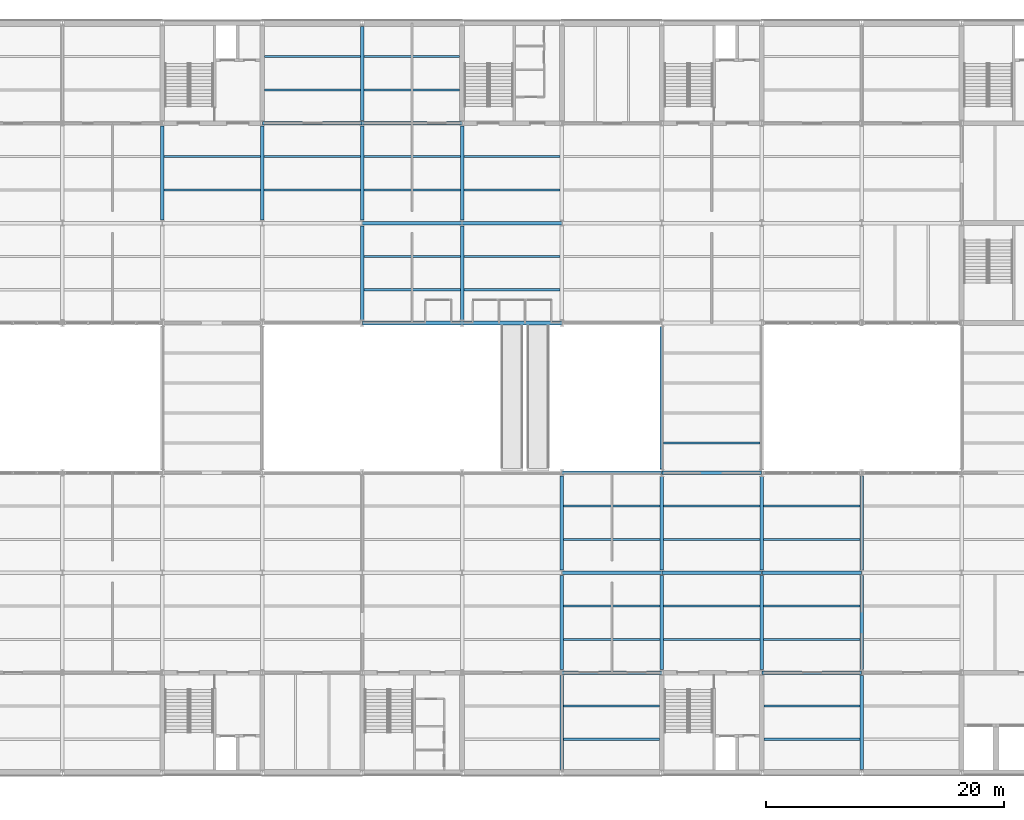
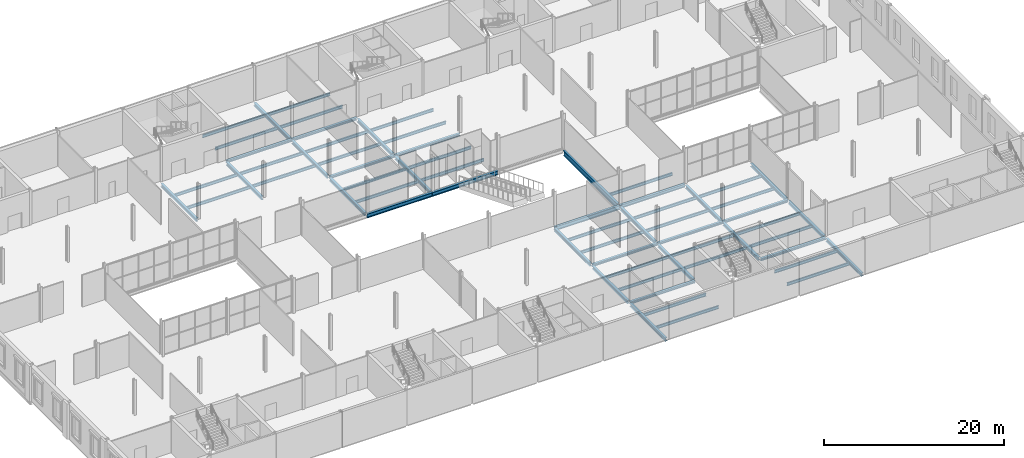
# One storey, part 17 of 52: 64 beams.
"""IFC4 building model written with IfcOpenShell, lengths in metres."""

from ifc_helpers import new_model, si_unit, direction, frame, origin, origin_2d, place, context, subcontext, project, spatial, i_section, extrude, material, material_profile, profile_set, type_object, element, save


model = new_model("IFC4")

# Units and contexts
model_context = context("Model", 3, precision=1e-05, world=origin(), true_north=direction((0.0, 1.0)))
body_context = subcontext(model_context, "Body", "Model", "MODEL_VIEW")
ifc_project = project(units=[si_unit("LENGTHUNIT", "METRE"), si_unit("AREAUNIT", "SQUARE_METRE"), si_unit("VOLUMEUNIT", "CUBIC_METRE"), si_unit("PLANEANGLEUNIT", "RADIAN"), si_unit("MASSUNIT", "GRAM", prefix="KILO")], contexts=[model_context])

# Site, building, storey
site_placement = place(None, origin())
site = spatial("IfcSite", under=ifc_project, at=site_placement, CompositionType="ELEMENT")
building_placement = place(site_placement, origin())
building = spatial("IfcBuilding", under=site, at=building_placement, Name="Galleria Vessillo Department Store", CompositionType="ELEMENT")
storey_placement = place(building_placement, frame((0.0, 0.0, 16.199951171875)))
storey = spatial("IfcBuildingStorey", under=building, at=storey_placement, Name="L03", CompositionType="ELEMENT", Elevation=16.199951171875)

# Beams
ifc_material_1 = material(Name="Steel S355 J2", Category="steel")
ifc_material_profile_1 = material_profile(ifc_material_1, i_section(OverallWidth=0.300048828125, OverallDepth=0.43994140625, WebThickness=0.011474609375, FlangeThickness=0.02099609375, FilletRadius=0.027099609375, at=origin_2d()), Name="HEA 450")
ifc_profile_set_1 = profile_set([ifc_material_profile_1], Name="Steel S355 J2")
beam_type_1 = type_object("IfcBeamType", Name="Bridge girder HEA 450", PredefinedType="BEAM", material=ifc_profile_set_1)
beam_1_placement = place(storey_placement, frame((75.610595703125, 25.199951171875, -0.369873046875), z_axis=(1.0, 0.0, 0.0), x_axis=(0.0, 1.0, 0.0)))
element("IfcBeam", 1, at=beam_1_placement, inside=storey, type_object=beam_type_1, Name="S-BM-L03-BR-x25200-75611", PredefinedType="BEAM", context=body_context, shape_type="SweptSolid", body=[
    extrude(i_section(OverallWidth=0.300048828125, OverallDepth=0.43994140625, WebThickness=0.011474609375, FlangeThickness=0.02099609375, FilletRadius=0.027099609375, at=origin_2d()), origin(), (0.0, 0.0, 1.0), 8.378662109375),
])
ifc_material_2 = material(Name="Steel S355 J2", Category="steel")
ifc_material_profile_2 = material_profile(ifc_material_2, i_section(OverallWidth=0.300048828125, OverallDepth=0.68994140625, WebThickness=0.014404296875, FlangeThickness=0.027099609375, FilletRadius=0.027099609375, at=origin_2d()), Name="HEA 700")
ifc_profile_set_2 = profile_set([ifc_material_profile_2], Name="Steel S355 J2")
beam_type_2 = type_object("IfcBeamType", Name="Bridge girder HEA 700", PredefinedType="BEAM", material=ifc_profile_set_2)
beam_2_placement = place(storey_placement, frame((75.60009765625, 25.51025390625, -0.494873046875), z_axis=(0.0, 1.0, 0.0), x_axis=(-1.0, 0.0, 0.0)))
element("IfcBeam", 2, at=beam_2_placement, inside=storey, type_object=beam_type_2, Name="S-BM-L03-BR-y75600-25510", PredefinedType="BEAM", context=body_context, shape_type="SweptSolid", body=[
    extrude(i_section(OverallWidth=0.300048828125, OverallDepth=0.68994140625, WebThickness=0.014404296875, FlangeThickness=0.027099609375, FilletRadius=0.027099609375, at=origin_2d()), origin(), (0.0, 0.0, 1.0), 11.9794921875),
])
ifc_material_3 = material(Name="Steel S355 J2", Category="steel")
ifc_material_profile_3 = material_profile(ifc_material_3, i_section(OverallWidth=0.300048828125, OverallDepth=0.43994140625, WebThickness=0.011474609375, FlangeThickness=0.02099609375, FilletRadius=0.027099609375, at=origin_2d()), Name="HEA 450")
ifc_profile_set_3 = profile_set([ifc_material_profile_3], Name="Steel S355 J2")
beam_type_3 = type_object("IfcBeamType", Name="Floor girder HEA 450", PredefinedType="BEAM", material=ifc_profile_set_3)
for number, where, z_axis, x_axis, name in (
    (3, (33.60009765625, 46.4501953125, -0.369873046875), (0.0, 1.0, 0.0), (-1.0, 0.0, 0.0), "S-BM-L03-GI-y33600-46450"),
    (4, (42.0, 46.4501953125, -0.369873046875), (0.0, 1.0, 0.0), (-1.0, 0.0, 0.0), "S-BM-L03-GI-y42000-46450"),
):
    element("IfcBeam", number, at=place(storey_placement, frame(where, z_axis=z_axis, x_axis=x_axis)), inside=storey, type_object=beam_type_3, Name=name, PredefinedType="BEAM", context=body_context, shape_type="SweptSolid", body=[
        extrude(i_section(OverallWidth=0.300048828125, OverallDepth=0.43994140625, WebThickness=0.011474609375, FlangeThickness=0.02099609375, FilletRadius=0.027099609375, at=origin_2d()), origin(), (0.0, 0.0, 1.0), 7.899658203125),
    ])
beam_3_placement = place(storey_placement, frame((50.39990234375, 38.06201171875, -0.369873046875), z_axis=(0.0, 1.0, 0.0), x_axis=(-1.0, 0.0, 0.0)))
element("IfcBeam", 5, at=beam_3_placement, inside=storey, type_object=beam_type_3, Name="S-BM-L03-GI-y50400-38062", PredefinedType="BEAM", context=body_context, shape_type="SweptSolid", body=[
    extrude(i_section(OverallWidth=0.300048828125, OverallDepth=0.43994140625, WebThickness=0.011474609375, FlangeThickness=0.02099609375, FilletRadius=0.027099609375, at=origin_2d()), origin(), (0.0, 0.0, 1.0), 7.887939453125),
])
for number, where, z_axis, x_axis, name in (
    (6, (50.39990234375, 46.4501953125, -0.369873046875), (0.0, 1.0, 0.0), (-1.0, 0.0, 0.0), "S-BM-L03-GI-y50400-46450"),
    (7, (50.39990234375, 54.85009765625, -0.369873046875), (0.0, 1.0, 0.0), (-1.0, 0.0, 0.0), "S-BM-L03-GI-y50400-54850"),
):
    element("IfcBeam", number, at=place(storey_placement, frame(where, z_axis=z_axis, x_axis=x_axis)), inside=storey, type_object=beam_type_3, Name=name, PredefinedType="BEAM", context=body_context, shape_type="SweptSolid", body=[
        extrude(i_section(OverallWidth=0.300048828125, OverallDepth=0.43994140625, WebThickness=0.011474609375, FlangeThickness=0.02099609375, FilletRadius=0.027099609375, at=origin_2d()), origin(), (0.0, 0.0, 1.0), 7.899658203125),
    ])
beam_4_placement = place(storey_placement, frame((58.800048828125, 38.06201171875, -0.369873046875), z_axis=(0.0, 1.0, 0.0), x_axis=(-1.0, 0.0, 0.0)))
element("IfcBeam", 8, at=beam_4_placement, inside=storey, type_object=beam_type_3, Name="S-BM-L03-GI-y58800-38062", PredefinedType="BEAM", context=body_context, shape_type="SweptSolid", body=[
    extrude(i_section(OverallWidth=0.300048828125, OverallDepth=0.43994140625, WebThickness=0.011474609375, FlangeThickness=0.02099609375, FilletRadius=0.027099609375, at=origin_2d()), origin(), (0.0, 0.0, 1.0), 7.887939453125),
])
for number, where, z_axis, x_axis, name in (
    (9, (58.800048828125, 46.4501953125, -0.369873046875), (0.0, 1.0, 0.0), (-1.0, 0.0, 0.0), "S-BM-L03-GI-y58800-46450"),
    (10, (67.199951171875, 0.250244140625, -0.369873046875), (0.0, 1.0, 0.0), (-1.0, 0.0, 0.0), "S-BM-L03-GI-y67200-250"),
    (11, (67.199951171875, 8.650146484375, -0.369873046875), (0.0, 1.0, 0.0), (-1.0, 0.0, 0.0), "S-BM-L03-GI-y67200-8650"),
):
    element("IfcBeam", number, at=place(storey_placement, frame(where, z_axis=z_axis, x_axis=x_axis)), inside=storey, type_object=beam_type_3, Name=name, PredefinedType="BEAM", context=body_context, shape_type="SweptSolid", body=[
        extrude(i_section(OverallWidth=0.300048828125, OverallDepth=0.43994140625, WebThickness=0.011474609375, FlangeThickness=0.02099609375, FilletRadius=0.027099609375, at=origin_2d()), origin(), (0.0, 0.0, 1.0), 7.899658203125),
    ])
beam_5_placement = place(storey_placement, frame((67.199951171875, 17.050048828125, -0.369873046875), z_axis=(0.0, 1.0, 0.0), x_axis=(-1.0, 0.0, 0.0)))
element("IfcBeam", 12, at=beam_5_placement, inside=storey, type_object=beam_type_3, Name="S-BM-L03-GI-y67200-17050", PredefinedType="BEAM", context=body_context, shape_type="SweptSolid", body=[
    extrude(i_section(OverallWidth=0.300048828125, OverallDepth=0.43994140625, WebThickness=0.011474609375, FlangeThickness=0.02099609375, FilletRadius=0.027099609375, at=origin_2d()), origin(), (0.0, 0.0, 1.0), 7.887939453125),
])
beam_6_placement = place(storey_placement, frame((75.60009765625, 8.650146484375, -0.369873046875), z_axis=(0.0, 1.0, 0.0), x_axis=(-1.0, 0.0, 0.0)))
element("IfcBeam", 13, at=beam_6_placement, inside=storey, type_object=beam_type_3, Name="S-BM-L03-GI-y75600-8650", PredefinedType="BEAM", context=body_context, shape_type="SweptSolid", body=[
    extrude(i_section(OverallWidth=0.300048828125, OverallDepth=0.43994140625, WebThickness=0.011474609375, FlangeThickness=0.02099609375, FilletRadius=0.027099609375, at=origin_2d()), origin(), (0.0, 0.0, 1.0), 7.899658203125),
])
beam_7_placement = place(storey_placement, frame((75.60009765625, 17.050048828125, -0.369873046875), z_axis=(0.0, 1.0, 0.0), x_axis=(-1.0, 0.0, 0.0)))
element("IfcBeam", 14, at=beam_7_placement, inside=storey, type_object=beam_type_3, Name="S-BM-L03-GI-y75600-17050", PredefinedType="BEAM", context=body_context, shape_type="SweptSolid", body=[
    extrude(i_section(OverallWidth=0.300048828125, OverallDepth=0.43994140625, WebThickness=0.011474609375, FlangeThickness=0.02099609375, FilletRadius=0.027099609375, at=origin_2d()), origin(), (0.0, 0.0, 1.0), 7.83984375),
])
beam_8_placement = place(storey_placement, frame((84.0, 8.650146484375, -0.369873046875), z_axis=(0.0, 1.0, 0.0), x_axis=(-1.0, 0.0, 0.0)))
element("IfcBeam", 15, at=beam_8_placement, inside=storey, type_object=beam_type_3, Name="S-BM-L03-GI-y84000-8650", PredefinedType="BEAM", context=body_context, shape_type="SweptSolid", body=[
    extrude(i_section(OverallWidth=0.300048828125, OverallDepth=0.43994140625, WebThickness=0.011474609375, FlangeThickness=0.02099609375, FilletRadius=0.027099609375, at=origin_2d()), origin(), (0.0, 0.0, 1.0), 7.899658203125),
])
beam_9_placement = place(storey_placement, frame((84.0, 17.050048828125, -0.369873046875), z_axis=(0.0, 1.0, 0.0), x_axis=(-1.0, 0.0, 0.0)))
element("IfcBeam", 16, at=beam_9_placement, inside=storey, type_object=beam_type_3, Name="S-BM-L03-GI-y84000-17050", PredefinedType="BEAM", context=body_context, shape_type="SweptSolid", body=[
    extrude(i_section(OverallWidth=0.300048828125, OverallDepth=0.43994140625, WebThickness=0.011474609375, FlangeThickness=0.02099609375, FilletRadius=0.027099609375, at=origin_2d()), origin(), (0.0, 0.0, 1.0), 7.83984375),
])
for number, where, z_axis, x_axis, name in (
    (17, (92.39990234375, 0.250244140625, -0.369873046875), (0.0, 1.0, 0.0), (-1.0, 0.0, 0.0), "S-BM-L03-GI-y92400-250"),
    (18, (92.39990234375, 8.650146484375, -0.369873046875), (0.0, 1.0, 0.0), (-1.0, 0.0, 0.0), "S-BM-L03-GI-y92400-8650"),
):
    element("IfcBeam", number, at=place(storey_placement, frame(where, z_axis=z_axis, x_axis=x_axis)), inside=storey, type_object=beam_type_3, Name=name, PredefinedType="BEAM", context=body_context, shape_type="SweptSolid", body=[
        extrude(i_section(OverallWidth=0.300048828125, OverallDepth=0.43994140625, WebThickness=0.011474609375, FlangeThickness=0.02099609375, FilletRadius=0.027099609375, at=origin_2d()), origin(), (0.0, 0.0, 1.0), 7.899658203125),
    ])
beam_10_placement = place(storey_placement, frame((92.39990234375, 17.050048828125, -0.369873046875), z_axis=(0.0, 1.0, 0.0), x_axis=(-1.0, 0.0, 0.0)))
element("IfcBeam", 19, at=beam_10_placement, inside=storey, type_object=beam_type_3, Name="S-BM-L03-GI-y92400-17050", PredefinedType="BEAM", context=body_context, shape_type="SweptSolid", body=[
    extrude(i_section(OverallWidth=0.300048828125, OverallDepth=0.43994140625, WebThickness=0.011474609375, FlangeThickness=0.02099609375, FilletRadius=0.027099609375, at=origin_2d()), origin(), (0.0, 0.0, 1.0), 7.887939453125),
])
ifc_material_4 = material(Name="Steel S355 J2", Category="steel")
ifc_material_profile_4 = material_profile(ifc_material_4, i_section(OverallWidth=0.179931640625, OverallDepth=0.39990234375, WebThickness=0.008544921875, FlangeThickness=0.013427734375, FilletRadius=0.02099609375, at=origin_2d()), Name="IPE 400")
ifc_profile_set_4 = profile_set([ifc_material_profile_4], Name="Steel S355 J2")
beam_type_4 = type_object("IfcBeamType", Name="Floor joist IPE 400", PredefinedType="JOIST", material=ifc_profile_set_4)
for number, where, z_axis, x_axis, name in (
    (20, (33.750244140625, 49.0, -0.349853515625), (1.0, 0.0, 0.0), (0.0, 1.0, 0.0), "S-BM-L03-JO-x49000-33750"),
    (21, (33.750244140625, 51.800048828125, -0.349853515625), (1.0, 0.0, 0.0), (0.0, 1.0, 0.0), "S-BM-L03-JO-x51800-33750"),
    (22, (42.150146484375, 49.0, -0.349853515625), (1.0, 0.0, 0.0), (0.0, 1.0, 0.0), "S-BM-L03-JO-x49000-42150"),
    (23, (42.150146484375, 51.800048828125, -0.349853515625), (1.0, 0.0, 0.0), (0.0, 1.0, 0.0), "S-BM-L03-JO-x51800-42150"),
):
    element("IfcBeam", number, at=place(storey_placement, frame(where, z_axis=z_axis, x_axis=x_axis)), inside=storey, type_object=beam_type_4, Name=name, PredefinedType="JOIST", context=body_context, shape_type="SweptSolid", body=[
        extrude(i_section(OverallWidth=0.179931640625, OverallDepth=0.39990234375, WebThickness=0.008544921875, FlangeThickness=0.013427734375, FilletRadius=0.02099609375, at=origin_2d()), origin(), (0.0, 0.0, 1.0), 8.099609375),
    ])
for number, where, z_axis, x_axis, name in (
    (24, (42.2001953125, 57.39990234375, -0.349853515625), (1.0, 0.0, 0.0), (0.0, 1.0, 0.0), "S-BM-L03-JO-x57400-42200"),
    (25, (42.2001953125, 60.199951171875, -0.349853515625), (1.0, 0.0, 0.0), (0.0, 1.0, 0.0), "S-BM-L03-JO-x60200-42200"),
):
    element("IfcBeam", number, at=place(storey_placement, frame(where, z_axis=z_axis, x_axis=x_axis)), inside=storey, type_object=beam_type_4, Name=name, PredefinedType="JOIST", context=body_context, shape_type="SweptSolid", body=[
        extrude(i_section(OverallWidth=0.179931640625, OverallDepth=0.39990234375, WebThickness=0.008544921875, FlangeThickness=0.013427734375, FilletRadius=0.02099609375, at=origin_2d()), origin(), (0.0, 0.0, 1.0), 8.049560546875),
    ])
for number, where, z_axis, x_axis, name in (
    (26, (50.550048828125, 40.60009765625, -0.349853515625), (1.0, 0.0, 0.0), (0.0, 1.0, 0.0), "S-BM-L03-JO-x40600-50550"),
    (27, (50.550048828125, 43.39990234375, -0.349853515625), (1.0, 0.0, 0.0), (0.0, 1.0, 0.0), "S-BM-L03-JO-x43400-50550"),
    (28, (50.550048828125, 49.0, -0.349853515625), (1.0, 0.0, 0.0), (0.0, 1.0, 0.0), "S-BM-L03-JO-x49000-50550"),
    (29, (50.550048828125, 51.800048828125, -0.349853515625), (1.0, 0.0, 0.0), (0.0, 1.0, 0.0), "S-BM-L03-JO-x51800-50550"),
):
    element("IfcBeam", number, at=place(storey_placement, frame(where, z_axis=z_axis, x_axis=x_axis)), inside=storey, type_object=beam_type_4, Name=name, PredefinedType="JOIST", context=body_context, shape_type="SweptSolid", body=[
        extrude(i_section(OverallWidth=0.179931640625, OverallDepth=0.39990234375, WebThickness=0.008544921875, FlangeThickness=0.013427734375, FilletRadius=0.02099609375, at=origin_2d()), origin(), (0.0, 0.0, 1.0), 8.099853515625),
    ])
for number, where, z_axis, x_axis, name in (
    (30, (50.550048828125, 57.39990234375, -0.349853515625), (1.0, 0.0, 0.0), (0.0, 1.0, 0.0), "S-BM-L03-JO-x57400-50550"),
    (31, (50.550048828125, 60.199951171875, -0.349853515625), (1.0, 0.0, 0.0), (0.0, 1.0, 0.0), "S-BM-L03-JO-x60200-50550"),
):
    element("IfcBeam", number, at=place(storey_placement, frame(where, z_axis=z_axis, x_axis=x_axis)), inside=storey, type_object=beam_type_4, Name=name, PredefinedType="JOIST", context=body_context, shape_type="SweptSolid", body=[
        extrude(i_section(OverallWidth=0.179931640625, OverallDepth=0.39990234375, WebThickness=0.008544921875, FlangeThickness=0.013427734375, FilletRadius=0.02099609375, at=origin_2d()), origin(), (0.0, 0.0, 1.0), 8.0498046875),
    ])
for number, where, z_axis, x_axis, name in (
    (32, (58.9501953125, 40.60009765625, -0.349853515625), (1.0, 0.0, 0.0), (0.0, 1.0, 0.0), "S-BM-L03-JO-x40600-58950"),
    (33, (58.9501953125, 43.39990234375, -0.349853515625), (1.0, 0.0, 0.0), (0.0, 1.0, 0.0), "S-BM-L03-JO-x43400-58950"),
    (34, (58.9501953125, 49.0, -0.349853515625), (1.0, 0.0, 0.0), (0.0, 1.0, 0.0), "S-BM-L03-JO-x49000-58950"),
    (35, (58.9501953125, 51.800048828125, -0.349853515625), (1.0, 0.0, 0.0), (0.0, 1.0, 0.0), "S-BM-L03-JO-x51800-58950"),
):
    element("IfcBeam", number, at=place(storey_placement, frame(where, z_axis=z_axis, x_axis=x_axis)), inside=storey, type_object=beam_type_4, Name=name, PredefinedType="JOIST", context=body_context, shape_type="SweptSolid", body=[
        extrude(i_section(OverallWidth=0.179931640625, OverallDepth=0.39990234375, WebThickness=0.008544921875, FlangeThickness=0.013427734375, FilletRadius=0.02099609375, at=origin_2d()), origin(), (0.0, 0.0, 1.0), 8.099609375),
    ])
for number, where, z_axis, x_axis, name in (
    (36, (67.35009765625, 2.800048828125, -0.349853515625), (1.0, 0.0, 0.0), (0.0, 1.0, 0.0), "S-BM-L03-JO-x2800-67350"),
    (37, (67.35009765625, 5.60009765625, -0.349853515625), (1.0, 0.0, 0.0), (0.0, 1.0, 0.0), "S-BM-L03-JO-x5600-67350"),
):
    element("IfcBeam", number, at=place(storey_placement, frame(where, z_axis=z_axis, x_axis=x_axis)), inside=storey, type_object=beam_type_4, Name=name, PredefinedType="JOIST", context=body_context, shape_type="SweptSolid", body=[
        extrude(i_section(OverallWidth=0.179931640625, OverallDepth=0.39990234375, WebThickness=0.008544921875, FlangeThickness=0.013427734375, FilletRadius=0.02099609375, at=origin_2d()), origin(), (0.0, 0.0, 1.0), 8.0498046875),
    ])
for number, where, z_axis, x_axis, name in (
    (38, (67.35009765625, 11.199951171875, -0.349853515625), (1.0, 0.0, 0.0), (0.0, 1.0, 0.0), "S-BM-L03-JO-x11200-67350"),
    (39, (67.35009765625, 14.0, -0.349853515625), (1.0, 0.0, 0.0), (0.0, 1.0, 0.0), "S-BM-L03-JO-x14000-67350"),
    (40, (67.35009765625, 19.60009765625, -0.349853515625), (1.0, 0.0, 0.0), (0.0, 1.0, 0.0), "S-BM-L03-JO-x19600-67350"),
    (41, (67.35009765625, 22.39990234375, -0.349853515625), (1.0, 0.0, 0.0), (0.0, 1.0, 0.0), "S-BM-L03-JO-x22400-67350"),
):
    element("IfcBeam", number, at=place(storey_placement, frame(where, z_axis=z_axis, x_axis=x_axis)), inside=storey, type_object=beam_type_4, Name=name, PredefinedType="JOIST", context=body_context, shape_type="SweptSolid", body=[
        extrude(i_section(OverallWidth=0.179931640625, OverallDepth=0.39990234375, WebThickness=0.008544921875, FlangeThickness=0.013427734375, FilletRadius=0.02099609375, at=origin_2d()), origin(), (0.0, 0.0, 1.0), 8.099853515625),
    ])
for number, where, z_axis, x_axis, name in (
    (42, (75.750244140625, 11.199951171875, -0.349853515625), (1.0, 0.0, 0.0), (0.0, 1.0, 0.0), "S-BM-L03-JO-x11200-75750"),
    (43, (75.750244140625, 14.0, -0.349853515625), (1.0, 0.0, 0.0), (0.0, 1.0, 0.0), "S-BM-L03-JO-x14000-75750"),
    (44, (75.750244140625, 19.60009765625, -0.349853515625), (1.0, 0.0, 0.0), (0.0, 1.0, 0.0), "S-BM-L03-JO-x19600-75750"),
    (45, (75.750244140625, 22.39990234375, -0.349853515625), (1.0, 0.0, 0.0), (0.0, 1.0, 0.0), "S-BM-L03-JO-x22400-75750"),
    (46, (75.750244140625, 27.719970703125, -0.349853515625), (1.0, 0.0, 0.0), (0.0, 1.0, 0.0), "S-BM-L03-JO-x27720-75750"),
):
    element("IfcBeam", number, at=place(storey_placement, frame(where, z_axis=z_axis, x_axis=x_axis)), inside=storey, type_object=beam_type_4, Name=name, PredefinedType="JOIST", context=body_context, shape_type="SweptSolid", body=[
        extrude(i_section(OverallWidth=0.179931640625, OverallDepth=0.39990234375, WebThickness=0.008544921875, FlangeThickness=0.013427734375, FilletRadius=0.02099609375, at=origin_2d()), origin(), (0.0, 0.0, 1.0), 8.099609375),
    ])
for number, where, z_axis, x_axis, name in (
    (47, (84.2001953125, 2.800048828125, -0.349853515625), (1.0, 0.0, 0.0), (0.0, 1.0, 0.0), "S-BM-L03-JO-x2800-84200"),
    (48, (84.2001953125, 5.60009765625, -0.349853515625), (1.0, 0.0, 0.0), (0.0, 1.0, 0.0), "S-BM-L03-JO-x5600-84200"),
):
    element("IfcBeam", number, at=place(storey_placement, frame(where, z_axis=z_axis, x_axis=x_axis)), inside=storey, type_object=beam_type_4, Name=name, PredefinedType="JOIST", context=body_context, shape_type="SweptSolid", body=[
        extrude(i_section(OverallWidth=0.179931640625, OverallDepth=0.39990234375, WebThickness=0.008544921875, FlangeThickness=0.013427734375, FilletRadius=0.02099609375, at=origin_2d()), origin(), (0.0, 0.0, 1.0), 8.049560546875),
    ])
for number, where, z_axis, x_axis, name in (
    (49, (84.150146484375, 11.199951171875, -0.349853515625), (1.0, 0.0, 0.0), (0.0, 1.0, 0.0), "S-BM-L03-JO-x11200-84150"),
    (50, (84.150146484375, 14.0, -0.349853515625), (1.0, 0.0, 0.0), (0.0, 1.0, 0.0), "S-BM-L03-JO-x14000-84150"),
    (51, (84.150146484375, 19.60009765625, -0.349853515625), (1.0, 0.0, 0.0), (0.0, 1.0, 0.0), "S-BM-L03-JO-x19600-84150"),
    (52, (84.150146484375, 22.39990234375, -0.349853515625), (1.0, 0.0, 0.0), (0.0, 1.0, 0.0), "S-BM-L03-JO-x22400-84150"),
):
    element("IfcBeam", number, at=place(storey_placement, frame(where, z_axis=z_axis, x_axis=x_axis)), inside=storey, type_object=beam_type_4, Name=name, PredefinedType="JOIST", context=body_context, shape_type="SweptSolid", body=[
        extrude(i_section(OverallWidth=0.179931640625, OverallDepth=0.39990234375, WebThickness=0.008544921875, FlangeThickness=0.013427734375, FilletRadius=0.02099609375, at=origin_2d()), origin(), (0.0, 0.0, 1.0), 8.099609375),
    ])
ifc_material_5 = material(Name="Steel S355 J2", Category="steel")
ifc_material_profile_5 = material_profile(ifc_material_5, i_section(OverallWidth=0.300048828125, OverallDepth=0.330078125, WebThickness=0.009521484375, FlangeThickness=0.0166015625, FilletRadius=0.027099609375, at=origin_2d()), Name="HEA 340")
ifc_profile_set_5 = profile_set([ifc_material_profile_5], Name="Steel S355 J2")
beam_type_5 = type_object("IfcBeamType", Name="Floor tie girder HEA 340", PredefinedType="BEAM", material=ifc_profile_set_5)
for number, where, z_axis, x_axis, name in (
    (53, (67.207275390625, 8.39990234375, -0.31494140625), (1.0, 0.0, 0.0), (0.0, 1.0, 0.0), "S-BM-L03-TI-x8400-67207"),
    (54, (84.00732421875, 8.39990234375, -0.31494140625), (1.0, 0.0, 0.0), (0.0, 1.0, 0.0), "S-BM-L03-TI-x8400-84007"),
    (55, (67.207275390625, 16.800048828125, -0.31494140625), (1.0, 0.0, 0.0), (0.0, 1.0, 0.0), "S-BM-L03-TI-x16800-67207"),
    (56, (75.607421875, 16.800048828125, -0.31494140625), (1.0, 0.0, 0.0), (0.0, 1.0, 0.0), "S-BM-L03-TI-x16800-75607"),
    (57, (84.00732421875, 16.800048828125, -0.31494140625), (1.0, 0.0, 0.0), (0.0, 1.0, 0.0), "S-BM-L03-TI-x16800-84007"),
    (58, (50.407470703125, 46.199951171875, -0.31494140625), (1.0, 0.0, 0.0), (0.0, 1.0, 0.0), "S-BM-L03-TI-x46200-50407"),
    (59, (58.807373046875, 46.199951171875, -0.31494140625), (1.0, 0.0, 0.0), (0.0, 1.0, 0.0), "S-BM-L03-TI-x46200-58807"),
    (60, (42.00732421875, 54.60009765625, -0.31494140625), (1.0, 0.0, 0.0), (0.0, 1.0, 0.0), "S-BM-L03-TI-x54600-42007"),
    (61, (50.407470703125, 54.60009765625, -0.31494140625), (1.0, 0.0, 0.0), (0.0, 1.0, 0.0), "S-BM-L03-TI-x54600-50407"),
):
    element("IfcBeam", number, at=place(storey_placement, frame(where, z_axis=z_axis, x_axis=x_axis)), inside=storey, type_object=beam_type_5, Name=name, PredefinedType="BEAM", context=body_context, shape_type="SweptSolid", body=[
        extrude(i_section(OverallWidth=0.300048828125, OverallDepth=0.330078125, WebThickness=0.009521484375, FlangeThickness=0.0166015625, FilletRadius=0.027099609375, at=origin_2d()), origin(), (0.0, 0.0, 1.0), 8.38525390625),
    ])
ifc_material_6 = material(Name="Steel S355 J2", Category="steel")
ifc_material_profile_6 = material_profile(ifc_material_6, i_section(OverallWidth=0.300048828125, OverallDepth=0.5400390625, WebThickness=0.012451171875, FlangeThickness=0.02392578125, FilletRadius=0.027099609375, at=origin_2d()), Name="HEA 550")
ifc_profile_set_6 = profile_set([ifc_material_profile_6], Name="Steel S355 J2")
beam_type_6 = type_object("IfcBeamType", Name="Trimmer beam HEA 550", PredefinedType="BEAM", material=ifc_profile_set_6)
for number, where, z_axis, x_axis, name in (
    (62, (67.210693359375, 25.199951171875, -0.419921875), (1.0, 0.0, 0.0), (0.0, 1.0, 0.0), "S-BM-L03-TR-x25200-67211"),
    (63, (50.41064453125, 37.800048828125, -0.419921875), (1.0, 0.0, 0.0), (0.0, 1.0, 0.0), "S-BM-L03-TR-x37800-50411"),
):
    element("IfcBeam", number, at=place(storey_placement, frame(where, z_axis=z_axis, x_axis=x_axis)), inside=storey, type_object=beam_type_6, Name=name, PredefinedType="BEAM", context=body_context, shape_type="SweptSolid", body=[
        extrude(i_section(OverallWidth=0.300048828125, OverallDepth=0.5400390625, WebThickness=0.012451171875, FlangeThickness=0.02392578125, FilletRadius=0.027099609375, at=origin_2d()), origin(), (0.0, 0.0, 1.0), 8.378662109375),
    ])
beam_11_placement = place(storey_placement, frame((58.810546875, 37.800048828125, -0.419921875), z_axis=(1.0, 0.0, 0.0), x_axis=(0.0, 1.0, 0.0)))
element("IfcBeam", 64, at=beam_11_placement, inside=storey, type_object=beam_type_6, Name="S-BM-L03-TR-x37800-58811", PredefinedType="BEAM", context=body_context, shape_type="SweptSolid", body=[
    extrude(i_section(OverallWidth=0.300048828125, OverallDepth=0.5400390625, WebThickness=0.012451171875, FlangeThickness=0.02392578125, FilletRadius=0.027099609375, at=origin_2d()), origin(), (0.0, 0.0, 1.0), 8.37890625),
])

save(model, "model.ifc")
